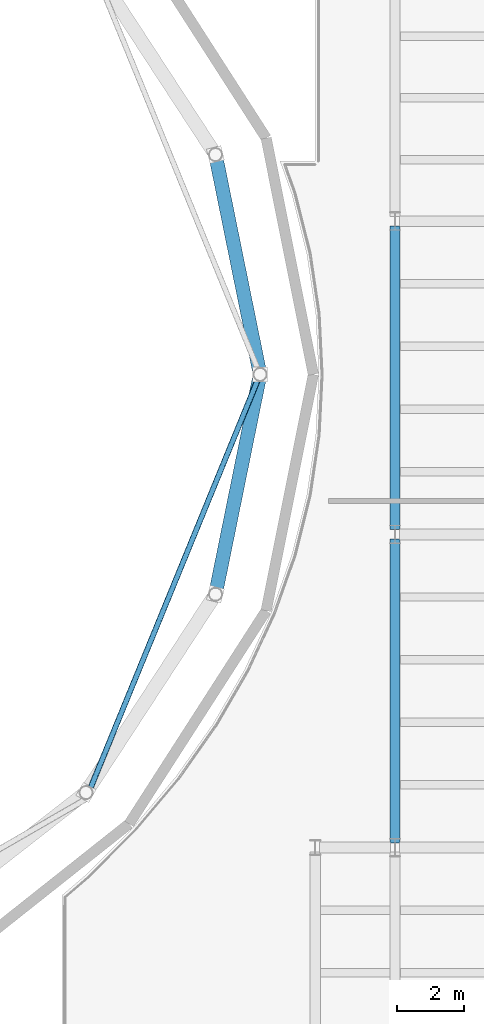
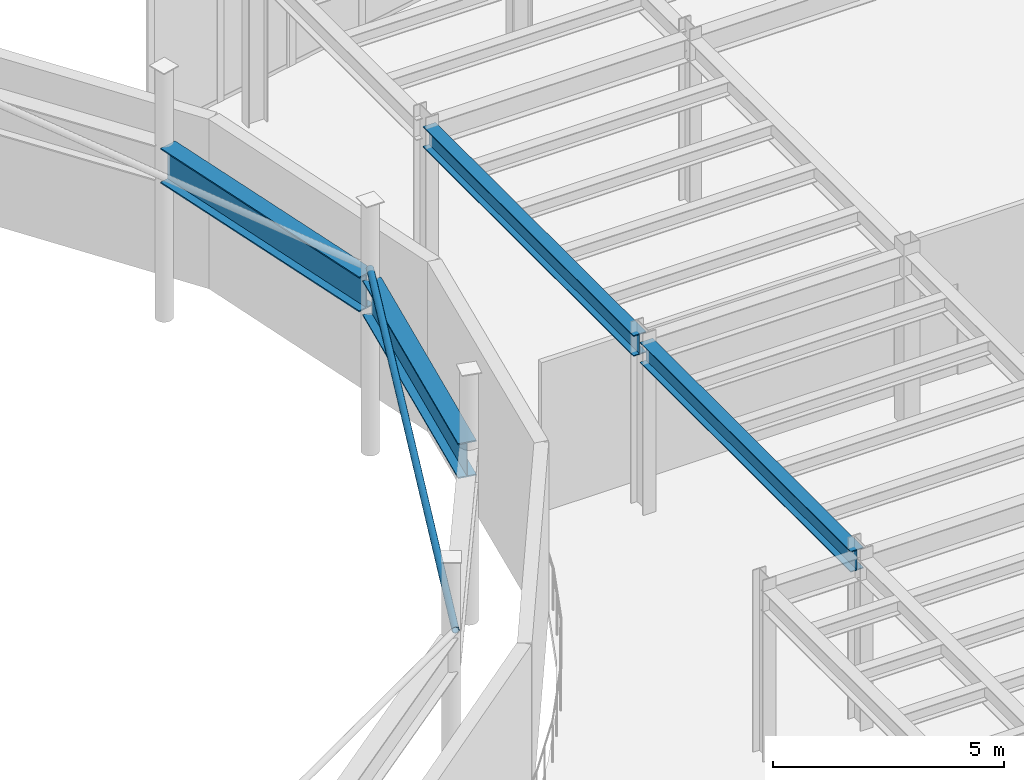
# One storey, part 32 of 91: 4 beams, 1 member.
"""IFC4 building model written with IfcOpenShell, lengths in metres."""

from ifc_helpers import new_model, si_unit, direction, frame, origin, origin_2d, place, context, subcontext, project, spatial, hollow_circle, i_section, extrude, material, material_profile, profile_set, type_object, element, save


model = new_model("IFC4")

# Units and contexts
model_context = context("Model", 3, precision=1e-05, world=origin(), true_north=direction((0.0, 1.0)))
body_context = subcontext(model_context, "Body", "Model", "MODEL_VIEW")
ifc_project = project(units=[si_unit("LENGTHUNIT", "METRE"), si_unit("AREAUNIT", "SQUARE_METRE"), si_unit("VOLUMEUNIT", "CUBIC_METRE"), si_unit("PLANEANGLEUNIT", "RADIAN"), si_unit("MASSUNIT", "GRAM", prefix="KILO")], contexts=[model_context])

# Site, building, storey
site_placement = place(None, origin())
site = spatial("IfcSite", under=ifc_project, at=site_placement, CompositionType="ELEMENT")
building_placement = place(site_placement, origin())
building = spatial("IfcBuilding", under=site, at=building_placement, Name="Sollismere Congress Hotel", CompositionType="ELEMENT")
storey_placement = place(building_placement, frame((0.0, 0.0, 10.800048828125)))
storey = spatial("IfcBuildingStorey", under=building, at=storey_placement, Name="L02", CompositionType="ELEMENT", Elevation=10.800048828125)

# Beams
ifc_material_1 = material(Name="Steel ASTM A992 Grade 50", Category="steel")
ifc_material_profile_1 = material_profile(ifc_material_1, i_section(OverallWidth=0.31494140625, OverallDepth=0.551025390625, WebThickness=0.01513671875, FlangeThickness=0.0244140625, at=origin_2d()), Name="W21X122")
ifc_profile_set_1 = profile_set([ifc_material_profile_1], Name="Steel ASTM A992 Grade 50")
beam_type_1 = type_object("IfcBeamType", Name="BM-G21H", PredefinedType="BEAM", material=ifc_profile_set_1)
beam_1_placement = place(storey_placement, frame((60.39990234375, 76.340087890625, 4.224365234375), z_axis=(0.0, 1.0, 0.0), x_axis=(-1.0, 0.0, 0.0)))
element("IfcBeam", 1, at=beam_1_placement, inside=storey, type_object=beam_type_1, Name="Beam BM-L02-2086", PredefinedType="BEAM", context=body_context, shape_type="SweptSolid", body=[
    extrude(i_section(OverallWidth=0.31494140625, OverallDepth=0.551025390625, WebThickness=0.01513671875, FlangeThickness=0.0244140625, at=origin_2d()), origin(), (0.0, 0.0, 1.0), 9.119873046875),
])
beam_2_placement = place(storey_placement, frame((60.39990234375, 85.739990234375, 4.224365234375), z_axis=(0.0, 1.0, 0.0), x_axis=(-1.0, 0.0, 0.0)))
element("IfcBeam", 2, at=beam_2_placement, inside=storey, type_object=beam_type_1, Name="Beam BM-L02-2087", PredefinedType="BEAM", context=body_context, shape_type="SweptSolid", body=[
    extrude(i_section(OverallWidth=0.31494140625, OverallDepth=0.551025390625, WebThickness=0.01513671875, FlangeThickness=0.0244140625, at=origin_2d()), origin(), (0.0, 0.0, 1.0), 9.1201171875),
])
ifc_material_profile_2 = material_profile(ifc_material_1, i_section(OverallWidth=0.4189453125, OverallDepth=0.927001953125, WebThickness=0.019287109375, FlangeThickness=0.031982421875, at=origin_2d()), Name="W36X231")
ifc_profile_set_2 = profile_set([ifc_material_profile_2], Name="Steel ASTM A992 Grade 50")
beam_type_2 = type_object("IfcBeamType", Name="BM-RG36", PredefinedType="SPANDREL", material=ifc_profile_set_2)
for number, where, z_axis, x_axis, name in (
    (3, (56.326171875, 90.517578125, 4.156494140625), (-0.198827417532, 0.980034518799, 0.0), (-0.980034518799, -0.198827417532, 0.0), "Beam BM-L02-4206"),
    (4, (55.035400390625, 83.920166015625, 4.156494140625), (0.198827417532, 0.980034518799, 0.0), (-0.980034518799, 0.198827417532, 0.0), "Beam BM-L02-4225"),
):
    element("IfcBeam", number, at=place(storey_placement, frame(where, z_axis=z_axis, x_axis=x_axis)), inside=storey, type_object=beam_type_2, Name=name, PredefinedType="SPANDREL", context=body_context, shape_type="SweptSolid", body=[
        extrude(i_section(OverallWidth=0.4189453125, OverallDepth=0.927001953125, WebThickness=0.019287109375, FlangeThickness=0.031982421875, at=origin_2d()), origin(), (0.0, 0.0, 1.0), 6.491943359375),
    ])

# Member
ifc_material_2 = material(Name="Steel ASTM A500 Grade C", Category="steel")
ifc_material_profile_3 = material_profile(ifc_material_2, hollow_circle(Radius=0.083984375, WallThickness=0.008056640625, at=origin_2d()), Name="CHS168X8")
ifc_profile_set_3 = profile_set([ifc_material_profile_3], Name="Steel ASTM A500 Grade C")
member_type = type_object("IfcMemberType", Name="MB-TI168", PredefinedType="STRINGER", material=ifc_profile_set_3)
member_placement = place(storey_placement, frame((51.124267578125, 77.651611328125, 4.820068359375), z_axis=(0.379095812585, 0.925357425474, 0.0), x_axis=(-0.925357425474, 0.379095812585, 0.0)))
element("IfcMember", 5, at=member_placement, inside=storey, type_object=member_type, Name="MEM-DT-10", PredefinedType="STRINGER", context=body_context, shape_type="SweptSolid", body=[
    extrude(hollow_circle(Radius=0.083984375, WallThickness=0.008056640625, at=origin_2d()), origin(), (0.0, 0.0, 1.0), 13.776611328125),
])

save(model, "model.ifc")
